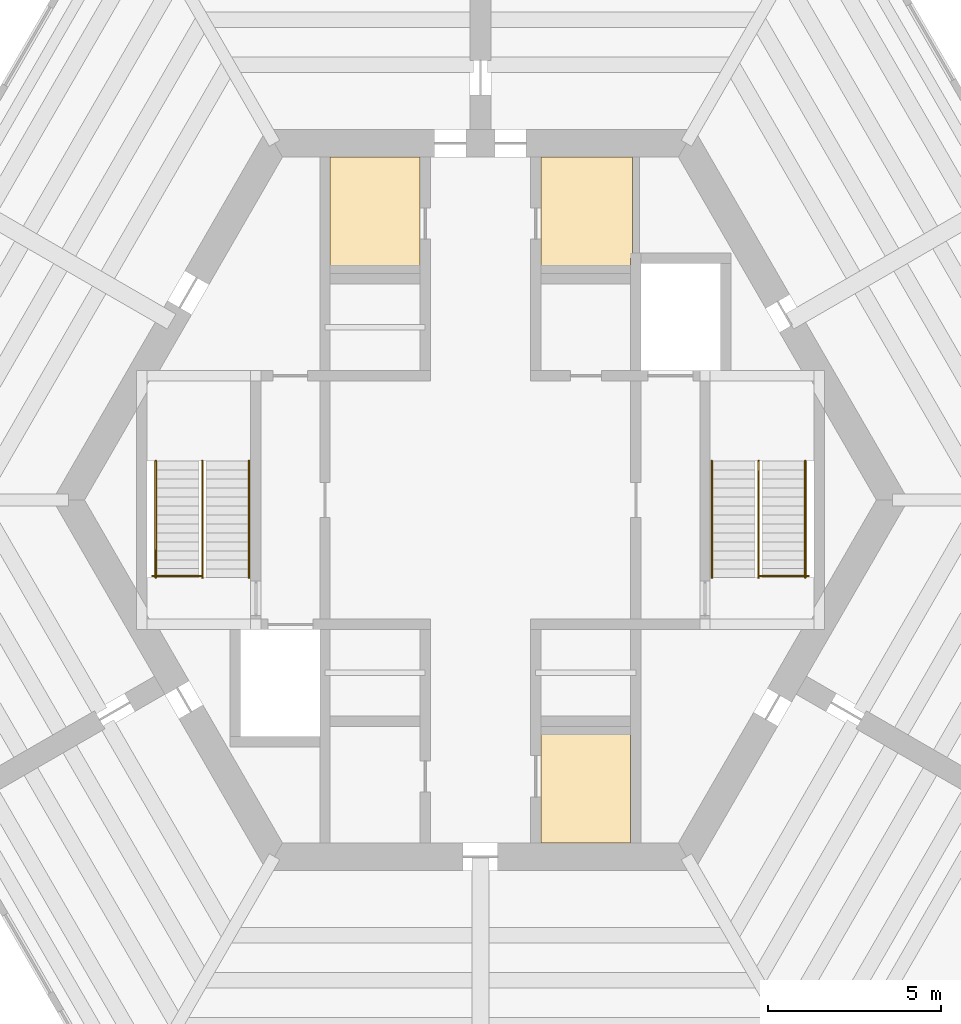
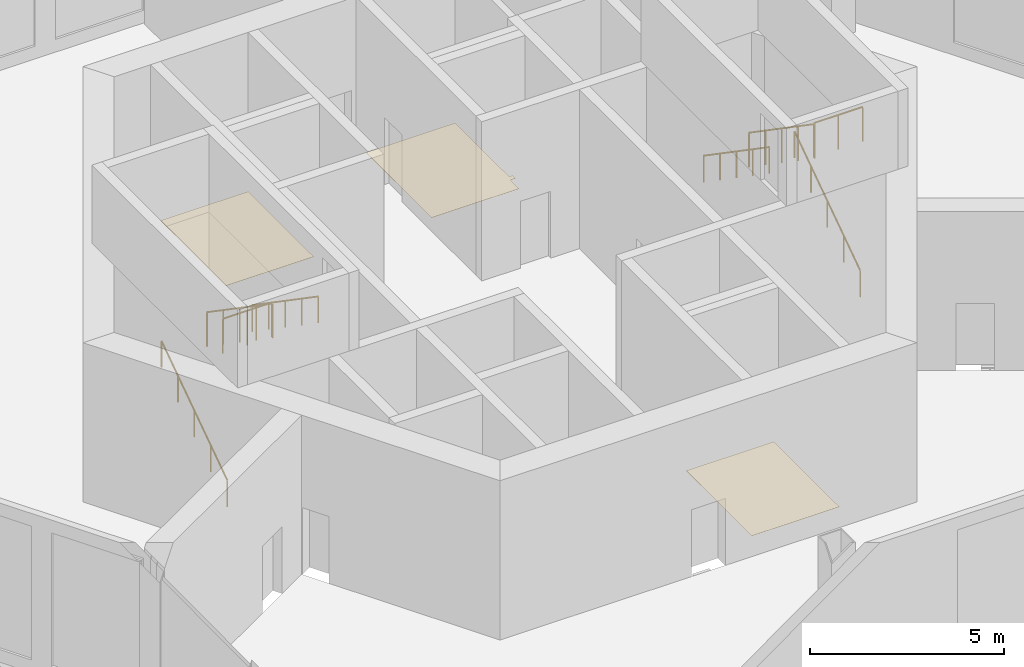
# One storey, part 8 of 8: 8 railings, 3 coverings.
"""IFC4 building model written with IfcOpenShell, lengths in metres."""

from ifc_helpers import new_model, si_unit, direction, frame, origin, origin_2d, place, context, subcontext, project, spatial, polyline, circle, outline, extrude, material, layer, layer_set, type_object, element, save


model = new_model("IFC4")

# Units and contexts
model_context = context("Model", 3, precision=1e-05, world=origin(), true_north=direction((0.0, 1.0)))
body_context = subcontext(model_context, "Body", "Model", "MODEL_VIEW")
ifc_project = project(units=[si_unit("LENGTHUNIT", "METRE"), si_unit("AREAUNIT", "SQUARE_METRE"), si_unit("VOLUMEUNIT", "CUBIC_METRE"), si_unit("PLANEANGLEUNIT", "RADIAN"), si_unit("MASSUNIT", "GRAM", prefix="KILO")], contexts=[model_context])

# Site, building, storey
site_placement = place(None, origin())
site = spatial("IfcSite", under=ifc_project, at=site_placement, CompositionType="ELEMENT")
building_placement = place(site_placement, origin())
building = spatial("IfcBuilding", under=site, at=building_placement, Name="Kasaneha Research Tower", CompositionType="ELEMENT")
storey_placement = place(building_placement, frame((0.0, 0.0, 302.5)))
storey = spatial("IfcBuildingStorey", under=building, at=storey_placement, Name="L76", CompositionType="ELEMENT", Elevation=302.5)

# Railings
ifc_material_1 = material(Name="Steel", Category="steel")
railing_type_1 = type_object("IfcRailingType", Name="Stair balustrade 1100", PredefinedType="GUARDRAIL", material=ifc_material_1)
railing_1_placement = place(storey_placement, frame((8.050048828125, 1.1298828125, 2.678466796875)))
element("IfcRailing", 1, at=railing_1_placement, inside=storey, type_object=railing_type_1, Name="Stair 1 balustrade L76", PredefinedType="GUARDRAIL", context=body_context, shape_type="SweptSolid", body=[
    extrude(circle(Radius=0.02392578125, at=origin_2d()), frame((0.0, 0.0, 1.076171875), z_axis=(0.0, -0.824285065979, 0.566174999451), x_axis=(1.0, 0.0, 0.0)), (0.0, 0.0, 1.0), 4.100341796875),
    extrude(circle(Radius=0.02099609375, at=origin_2d()), origin(), (0.0, 0.0, 1.0), 1.052001953125),
    extrude(circle(Radius=0.02099609375, at=origin_2d()), frame((0.0, -0.844970703125, 0.580322265625)), (0.0, 0.0, 1.0), 1.052001953125),
    extrude(circle(Radius=0.02099609375, at=origin_2d()), frame((0.0, -1.68994140625, 1.16064453125)), (0.0, 0.0, 1.0), 1.052001953125),
    extrude(circle(Radius=0.02099609375, at=origin_2d()), frame((0.0, -2.534912109375, 1.7412109375)), (0.0, 0.0, 1.0), 1.052001953125),
    extrude(circle(Radius=0.02099609375, at=origin_2d()), frame((0.0, -3.3798828125, 2.321533203125)), (0.0, 0.0, 1.0), 1.052001953125),
])
railing_2_placement = place(storey_placement, frame((8.050048828125, -2.199951171875, 5.0)))
element("IfcRailing", 2, at=railing_2_placement, inside=storey, type_object=railing_type_1, Name="Stair 1 top landing guard", PredefinedType="GUARDRAIL", context=body_context, shape_type="SweptSolid", body=[
    extrude(circle(Radius=0.02392578125, at=origin_2d()), frame((0.0, 0.0, 1.076171875), z_axis=(1.0, 0.0, 0.0), x_axis=(0.0, 1.0, 0.0)), (0.0, 0.0, 1.0), 1.449951171875),
    extrude(circle(Radius=0.02099609375, at=origin_2d()), origin(), (0.0, 0.0, 1.0), 1.052001953125),
    extrude(circle(Radius=0.02099609375, at=origin_2d()), frame((0.72509765625, 0.0, 0.0)), (0.0, 0.0, 1.0), 1.052001953125),
    extrude(circle(Radius=0.02099609375, at=origin_2d()), frame((1.449951171875, 0.0, 0.0)), (0.0, 0.0, 1.0), 1.052001953125),
])
railing_3_placement = place(storey_placement, frame((-8.050048828125, 1.1298828125, 2.678466796875)))
element("IfcRailing", 3, at=railing_3_placement, inside=storey, type_object=railing_type_1, Name="Stair 2 balustrade L76", PredefinedType="GUARDRAIL", context=body_context, shape_type="SweptSolid", body=[
    extrude(circle(Radius=0.02392578125, at=origin_2d()), frame((0.0, 0.0, 1.076171875), z_axis=(0.0, -0.824285065979, 0.566174999451), x_axis=(1.0, 0.0, 0.0)), (0.0, 0.0, 1.0), 4.100341796875),
    extrude(circle(Radius=0.02099609375, at=origin_2d()), origin(), (0.0, 0.0, 1.0), 1.052001953125),
    extrude(circle(Radius=0.02099609375, at=origin_2d()), frame((0.0, -0.844970703125, 0.580322265625)), (0.0, 0.0, 1.0), 1.052001953125),
    extrude(circle(Radius=0.02099609375, at=origin_2d()), frame((0.0, -1.68994140625, 1.16064453125)), (0.0, 0.0, 1.0), 1.052001953125),
    extrude(circle(Radius=0.02099609375, at=origin_2d()), frame((0.0, -2.534912109375, 1.7412109375)), (0.0, 0.0, 1.0), 1.052001953125),
    extrude(circle(Radius=0.02099609375, at=origin_2d()), frame((0.0, -3.3798828125, 2.321533203125)), (0.0, 0.0, 1.0), 1.052001953125),
])
railing_4_placement = place(storey_placement, frame((-8.050048828125, -2.199951171875, 5.0)))
element("IfcRailing", 4, at=railing_4_placement, inside=storey, type_object=railing_type_1, Name="Stair 2 top landing guard", PredefinedType="GUARDRAIL", context=body_context, shape_type="SweptSolid", body=[
    extrude(circle(Radius=0.02392578125, at=origin_2d()), frame((0.0, 0.0, 1.076171875), z_axis=(-1.0, 0.0, 0.0), x_axis=(0.0, -1.0, 0.0)), (0.0, 0.0, 1.0), 1.449951171875),
    extrude(circle(Radius=0.02099609375, at=origin_2d()), origin(), (0.0, 0.0, 1.0), 1.052001953125),
    extrude(circle(Radius=0.02099609375, at=origin_2d()), frame((-0.72509765625, 0.0, 0.0)), (0.0, 0.0, 1.0), 1.052001953125),
    extrude(circle(Radius=0.02099609375, at=origin_2d()), frame((-1.449951171875, 0.0, 0.0)), (0.0, 0.0, 1.0), 1.052001953125),
])
ifc_material_2 = material(Name="Steel", Category="steel")
railing_type_2 = type_object("IfcRailingType", Name="Stair handrail 850", PredefinedType="HANDRAIL", material=ifc_material_2)
railing_5_placement = place(storey_placement, frame((9.39990234375, -2.25, 0.178466796875)))
element("IfcRailing", 5, at=railing_5_placement, inside=storey, type_object=railing_type_2, Name="Stair 1 handrail L76", PredefinedType="HANDRAIL", context=body_context, shape_type="SweptSolid", body=[
    extrude(circle(Radius=0.02392578125, at=origin_2d()), frame((0.0, 0.0, 0.826171875), z_axis=(0.0, 0.824285065979, 0.566174999451), x_axis=(-1.0, 0.0, 0.0)), (0.0, 0.0, 1.0), 4.100341796875),
    extrude(circle(Radius=0.02099609375, at=origin_2d()), origin(), (0.0, 0.0, 1.0), 0.802001953125),
    extrude(circle(Radius=0.02099609375, at=origin_2d()), frame((0.0, 0.844970703125, 0.580322265625)), (0.0, 0.0, 1.0), 0.802001953125),
    extrude(circle(Radius=0.02099609375, at=origin_2d()), frame((0.0, 1.68994140625, 1.16064453125)), (0.0, 0.0, 1.0), 0.802001953125),
    extrude(circle(Radius=0.02099609375, at=origin_2d()), frame((0.0, 2.534912109375, 1.7412109375)), (0.0, 0.0, 1.0), 0.802001953125),
    extrude(circle(Radius=0.02099609375, at=origin_2d()), frame((0.0, 3.3798828125, 2.321533203125)), (0.0, 0.0, 1.0), 0.802001953125),
])
railing_6_placement = place(storey_placement, frame((6.699951171875, 1.1298828125, 2.678466796875)))
element("IfcRailing", 6, at=railing_6_placement, inside=storey, type_object=railing_type_2, Name="Stair 1 handrail L76", PredefinedType="HANDRAIL", context=body_context, shape_type="SweptSolid", body=[
    extrude(circle(Radius=0.02392578125, at=origin_2d()), frame((0.0, 0.0, 0.826171875), z_axis=(0.0, -0.824285065979, 0.566174999451), x_axis=(1.0, 0.0, 0.0)), (0.0, 0.0, 1.0), 4.100341796875),
    extrude(circle(Radius=0.02099609375, at=origin_2d()), origin(), (0.0, 0.0, 1.0), 0.802001953125),
    extrude(circle(Radius=0.02099609375, at=origin_2d()), frame((0.0, -0.844970703125, 0.580322265625)), (0.0, 0.0, 1.0), 0.802001953125),
    extrude(circle(Radius=0.02099609375, at=origin_2d()), frame((0.0, -1.68994140625, 1.16064453125)), (0.0, 0.0, 1.0), 0.802001953125),
    extrude(circle(Radius=0.02099609375, at=origin_2d()), frame((0.0, -2.534912109375, 1.7412109375)), (0.0, 0.0, 1.0), 0.802001953125),
    extrude(circle(Radius=0.02099609375, at=origin_2d()), frame((0.0, -3.3798828125, 2.321533203125)), (0.0, 0.0, 1.0), 0.802001953125),
])
railing_7_placement = place(storey_placement, frame((-9.39990234375, -2.25, 0.178466796875)))
element("IfcRailing", 7, at=railing_7_placement, inside=storey, type_object=railing_type_2, Name="Stair 2 handrail L76", PredefinedType="HANDRAIL", context=body_context, shape_type="SweptSolid", body=[
    extrude(circle(Radius=0.02392578125, at=origin_2d()), frame((0.0, 0.0, 0.826171875), z_axis=(0.0, 0.824285065979, 0.566174999451), x_axis=(-1.0, 0.0, 0.0)), (0.0, 0.0, 1.0), 4.100341796875),
    extrude(circle(Radius=0.02099609375, at=origin_2d()), origin(), (0.0, 0.0, 1.0), 0.802001953125),
    extrude(circle(Radius=0.02099609375, at=origin_2d()), frame((0.0, 0.844970703125, 0.580322265625)), (0.0, 0.0, 1.0), 0.802001953125),
    extrude(circle(Radius=0.02099609375, at=origin_2d()), frame((0.0, 1.68994140625, 1.16064453125)), (0.0, 0.0, 1.0), 0.802001953125),
    extrude(circle(Radius=0.02099609375, at=origin_2d()), frame((0.0, 2.534912109375, 1.7412109375)), (0.0, 0.0, 1.0), 0.802001953125),
    extrude(circle(Radius=0.02099609375, at=origin_2d()), frame((0.0, 3.3798828125, 2.321533203125)), (0.0, 0.0, 1.0), 0.802001953125),
])
railing_8_placement = place(storey_placement, frame((-6.699951171875, 1.1298828125, 2.678466796875)))
element("IfcRailing", 8, at=railing_8_placement, inside=storey, type_object=railing_type_2, Name="Stair 2 handrail L76", PredefinedType="HANDRAIL", context=body_context, shape_type="SweptSolid", body=[
    extrude(circle(Radius=0.02392578125, at=origin_2d()), frame((0.0, 0.0, 0.826171875), z_axis=(0.0, -0.824285065979, 0.566174999451), x_axis=(1.0, 0.0, 0.0)), (0.0, 0.0, 1.0), 4.100341796875),
    extrude(circle(Radius=0.02099609375, at=origin_2d()), origin(), (0.0, 0.0, 1.0), 0.802001953125),
    extrude(circle(Radius=0.02099609375, at=origin_2d()), frame((0.0, -0.844970703125, 0.580322265625)), (0.0, 0.0, 1.0), 0.802001953125),
    extrude(circle(Radius=0.02099609375, at=origin_2d()), frame((0.0, -1.68994140625, 1.16064453125)), (0.0, 0.0, 1.0), 0.802001953125),
    extrude(circle(Radius=0.02099609375, at=origin_2d()), frame((0.0, -2.534912109375, 1.7412109375)), (0.0, 0.0, 1.0), 0.802001953125),
    extrude(circle(Radius=0.02099609375, at=origin_2d()), frame((0.0, -3.3798828125, 2.321533203125)), (0.0, 0.0, 1.0), 0.802001953125),
])

# Coverings
ifc_material_3 = material(Name="Vinyl sheet flooring", Category="plastic")
ifc_layer = layer(ifc_material_3, 0.0048828125)
ifc_layer_set = layer_set([ifc_layer], Name="Wet room sheet flooring 5")
covering_type = type_object("IfcCoveringType", Name="Wet room sheet flooring 5", PredefinedType="FLOORING", material=ifc_layer_set)
covering_1_placement = place(storey_placement, origin())
element("IfcCovering", 9, at=covering_1_placement, inside=storey, type_object=covering_type, Name="Floor finish L76-06", PredefinedType="FLOORING", context=body_context, shape_type="SweptSolid", body=[
    extrude(outline(polyline([(-1.75, 9.925048828125), (-1.75, 6.550048828125), (-4.35009765625, 6.550048828125), (-4.35009765625, 9.925048828125), (-1.75, 9.925048828125)])), origin(), (0.0, 0.0, 1.0), 0.0048828125),
])
covering_2_placement = place(storey_placement, origin())
element("IfcCovering", 10, at=covering_2_placement, inside=storey, type_object=covering_type, Name="Floor finish L76-07", PredefinedType="FLOORING", context=body_context, shape_type="SweptSolid", body=[
    extrude(outline(polyline([(4.39892578125, 9.925048828125), (4.39892578125, 7.14990234375), (4.39892578125, 7.14990234375), (4.39892578125, 7.14990234375), (4.39892578125, 7.149658203125), (4.399169921875, 7.149658203125), (4.399169921875, 7.1494140625), (4.399169921875, 7.1494140625), (4.399169921875, 7.1494140625), (4.399169921875, 7.149169921875), (4.3994140625, 7.149169921875), (4.3994140625, 7.149169921875), (4.3994140625, 7.149169921875), (4.399658203125, 7.149169921875), (4.399658203125, 7.14892578125), (4.39990234375, 7.14892578125), (4.39990234375, 7.14892578125), (4.39990234375, 7.14892578125), (4.5, 7.14892578125), (4.5, 7.0), (4.35009765625, 7.0), (4.35009765625, 6.550048828125), (1.75, 6.550048828125), (1.75, 9.925048828125), (4.39892578125, 9.925048828125)])), origin(), (0.0, 0.0, 1.0), 0.0048828125),
])
covering_3_placement = place(storey_placement, origin())
element("IfcCovering", 11, at=covering_3_placement, inside=storey, type_object=covering_type, Name="Floor finish L76-09", PredefinedType="FLOORING", context=body_context, shape_type="SweptSolid", body=[
    extrude(outline(polyline([(1.75, -9.925048828125), (1.75, -6.550048828125), (4.35009765625, -6.550048828125), (4.35009765625, -9.925048828125), (1.75, -9.925048828125)])), origin(), (0.0, 0.0, 1.0), 0.0048828125),
])

save(model, "model.ifc")
